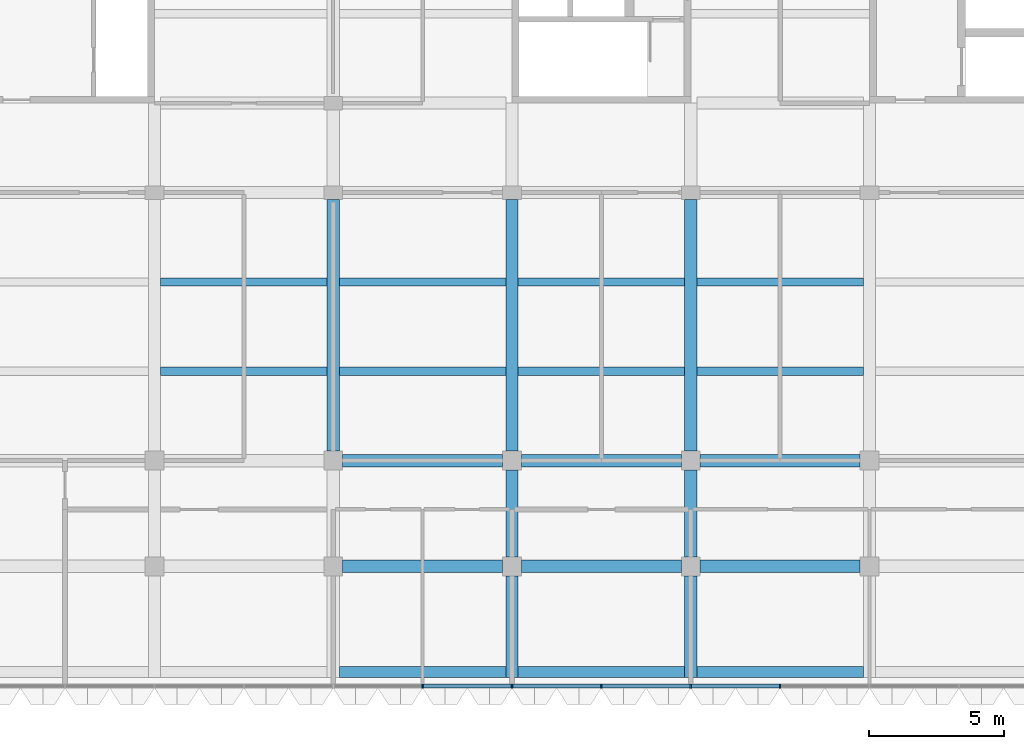
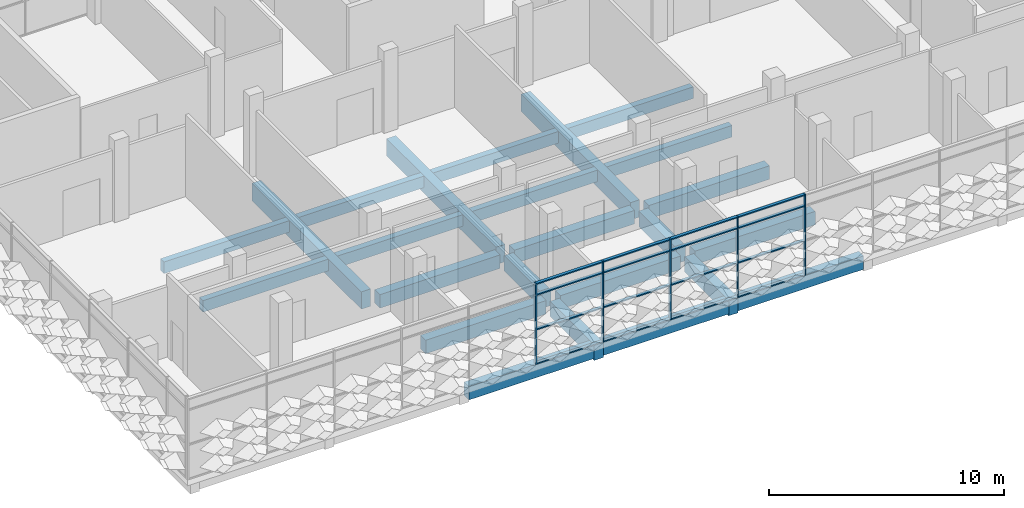
# One storey, part 3 of 61: 24 beams, 21 members, 1 element without a shape of its own.
"""IFC4 building model written with IfcOpenShell, lengths in metres."""

from ifc_helpers import new_model, si_unit, direction, frame, origin, origin_2d, place, context, subcontext, project, spatial, rectangle, extrude, material, material_profile, profile_set, type_object, element, aggregate, save


model = new_model("IFC4")

# Units and contexts
model_context = context("Model", 3, precision=1e-05, world=origin(), true_north=direction((0.0, 1.0)))
body_context = subcontext(model_context, "Body", "Model", "MODEL_VIEW")
ifc_project = project(units=[si_unit("LENGTHUNIT", "METRE"), si_unit("AREAUNIT", "SQUARE_METRE"), si_unit("VOLUMEUNIT", "CUBIC_METRE"), si_unit("PLANEANGLEUNIT", "RADIAN"), si_unit("MASSUNIT", "GRAM", prefix="KILO")], contexts=[model_context])

# Site, building, storey
site_placement = place(None, origin())
site = spatial("IfcSite", under=ifc_project, at=site_placement, CompositionType="ELEMENT")
building_placement = place(site_placement, origin())
building = spatial("IfcBuilding", under=site, at=building_placement, Name="Lantern Court Research Institute", CompositionType="ELEMENT")
storey_placement = place(building_placement, frame((0.0, 0.0, 23.39990234375)))
storey = spatial("IfcBuildingStorey", under=building, at=storey_placement, Name="L05", CompositionType="ELEMENT", Elevation=23.39990234375)

# Curtain wall, members
ifc_material_1 = material(Name="Aluminium alloy 6063-T6", Category="aluminium")
curtain_wall_type = type_object("IfcCurtainWallType", Name="Curtain wall 53400 x 4200 x 150 aluminium frame", PredefinedType="NOTDEFINED", material=ifc_material_1)
curtain_wall_placement = place(storey_placement, origin())
curtain_wall = element("IfcCurtainWall", 1, at=curtain_wall_placement, inside=storey, type_object=curtain_wall_type, Name="Curtain wall CW072", PredefinedType="NOTDEFINED")
ifc_material_2 = material(Name="Aluminium alloy 6063-T6", Category="aluminium")
ifc_material_profile_1 = material_profile(ifc_material_2, rectangle(XDim=0.14990234375, YDim=0.06005859375, at=origin_2d()), Name="Mullion 150 x 60")
ifc_profile_set_1 = profile_set([ifc_material_profile_1], Name="Aluminium alloy 6063-T6")
member_type_1 = type_object("IfcMemberType", Name="Mullion 150 x 60 aluminium", PredefinedType="MULLION", material=ifc_profile_set_1)
member_1_placement = place(storey_placement, frame((16.5, -8.324951171875, 0.0), z_axis=(0.0, 0.0, 1.0), x_axis=(0.0, -1.0, 0.0)))
member_1 = element("IfcMember", 2, at=member_1_placement, type_object=member_type_1, Name="CW072 mullion 6", PredefinedType="MULLION", context=body_context, shape_type="SweptSolid", body=[
    extrude(rectangle(XDim=0.14990234375, YDim=0.06005859375, at=origin_2d()), origin(), (0.0, 0.0, 1.0), 4.2001953125),
])
member_2_placement = place(storey_placement, frame((19.800048828125, -8.324951171875, 0.0), z_axis=(0.0, 0.0, 1.0), x_axis=(0.0, -1.0, 0.0)))
member_2 = element("IfcMember", 3, at=member_2_placement, type_object=member_type_1, Name="CW072 mullion 7", PredefinedType="MULLION", context=body_context, shape_type="SweptSolid", body=[
    extrude(rectangle(XDim=0.14990234375, YDim=0.06005859375, at=origin_2d()), origin(), (0.0, 0.0, 1.0), 4.2001953125),
])
member_3_placement = place(storey_placement, frame((23.10009765625, -8.324951171875, 0.0), z_axis=(0.0, 0.0, 1.0), x_axis=(0.0, -1.0, 0.0)))
member_3 = element("IfcMember", 4, at=member_3_placement, type_object=member_type_1, Name="CW072 mullion 8", PredefinedType="MULLION", context=body_context, shape_type="SweptSolid", body=[
    extrude(rectangle(XDim=0.14990234375, YDim=0.06005859375, at=origin_2d()), origin(), (0.0, 0.0, 1.0), 4.2001953125),
])
member_4_placement = place(storey_placement, frame((26.39990234375, -8.324951171875, 0.0), z_axis=(0.0, 0.0, 1.0), x_axis=(0.0, -1.0, 0.0)))
member_4 = element("IfcMember", 5, at=member_4_placement, type_object=member_type_1, Name="CW072 mullion 9", PredefinedType="MULLION", context=body_context, shape_type="SweptSolid", body=[
    extrude(rectangle(XDim=0.14990234375, YDim=0.06005859375, at=origin_2d()), origin(), (0.0, 0.0, 1.0), 4.2001953125),
])
member_5_placement = place(storey_placement, frame((29.699951171875, -8.324951171875, 0.0), z_axis=(0.0, 0.0, 1.0), x_axis=(0.0, -1.0, 0.0)))
member_5 = element("IfcMember", 6, at=member_5_placement, type_object=member_type_1, Name="CW072 mullion 10", PredefinedType="MULLION", context=body_context, shape_type="SweptSolid", body=[
    extrude(rectangle(XDim=0.14990234375, YDim=0.06005859375, at=origin_2d()), origin(), (0.0, 0.0, 1.0), 4.2001953125),
])

# Beams
ifc_material_3 = material(Name="Concrete C40/50", Category="concrete")
ifc_material_profile_2 = material_profile(ifc_material_3, rectangle(XDim=0.449951171875, YDim=0.699951171875, at=origin_2d()), Name="RC beam 450 x 700")
ifc_profile_set_2 = profile_set([ifc_material_profile_2], Name="Concrete C40/50")
beam_type_1 = type_object("IfcBeamType", Name="RC beam 450 x 700", PredefinedType="BEAM", material=ifc_profile_set_2)
beam_1_placement = place(storey_placement, frame((13.550048828125, -3.89990234375, -0.64990234375), z_axis=(1.0, 0.0, 0.0), x_axis=(0.0, 1.0, 0.0)))
element("IfcBeam", 7, at=beam_1_placement, inside=storey, type_object=beam_type_1, Name="Beam L05 grid Y/3-4", PredefinedType="BEAM", context=body_context, shape_type="SweptSolid", body=[
    extrude(rectangle(XDim=0.449951171875, YDim=0.699951171875, at=origin_2d()), origin(), (0.0, 0.0, 1.0), 5.89990234375),
])
beam_2_placement = place(storey_placement, frame((20.14990234375, -3.89990234375, -0.64990234375), z_axis=(1.0, 0.0, 0.0), x_axis=(0.0, 1.0, 0.0)))
element("IfcBeam", 8, at=beam_2_placement, inside=storey, type_object=beam_type_1, Name="Beam L05 grid Y/4-5", PredefinedType="BEAM", context=body_context, shape_type="SweptSolid", body=[
    extrude(rectangle(XDim=0.449951171875, YDim=0.699951171875, at=origin_2d()), origin(), (0.0, 0.0, 1.0), 5.900146484375),
])
for number, where, z_axis, x_axis, name in (
    (9, (26.75, -3.89990234375, -0.64990234375), (1.0, 0.0, 0.0), (0.0, 1.0, 0.0), "Beam L05 grid Y/5-6"),
    (10, (13.550048828125, 0.0, -0.64990234375), (1.0, 0.0, 0.0), (0.0, 1.0, 0.0), "Beam L05 grid A/3-4"),
):
    element("IfcBeam", number, at=place(storey_placement, frame(where, z_axis=z_axis, x_axis=x_axis)), inside=storey, type_object=beam_type_1, Name=name, PredefinedType="BEAM", context=body_context, shape_type="SweptSolid", body=[
        extrude(rectangle(XDim=0.449951171875, YDim=0.699951171875, at=origin_2d()), origin(), (0.0, 0.0, 1.0), 5.89990234375),
    ])
beam_3_placement = place(storey_placement, frame((20.14990234375, 0.0, -0.64990234375), z_axis=(1.0, 0.0, 0.0), x_axis=(0.0, 1.0, 0.0)))
element("IfcBeam", 11, at=beam_3_placement, inside=storey, type_object=beam_type_1, Name="Beam L05 grid A/4-5", PredefinedType="BEAM", context=body_context, shape_type="SweptSolid", body=[
    extrude(rectangle(XDim=0.449951171875, YDim=0.699951171875, at=origin_2d()), origin(), (0.0, 0.0, 1.0), 5.900146484375),
])
beam_4_placement = place(storey_placement, frame((26.75, 0.0, -0.64990234375), z_axis=(1.0, 0.0, 0.0), x_axis=(0.0, 1.0, 0.0)))
element("IfcBeam", 12, at=beam_4_placement, inside=storey, type_object=beam_type_1, Name="Beam L05 grid A/5-6", PredefinedType="BEAM", context=body_context, shape_type="SweptSolid", body=[
    extrude(rectangle(XDim=0.449951171875, YDim=0.699951171875, at=origin_2d()), origin(), (0.0, 0.0, 1.0), 5.89990234375),
])
ifc_material_4 = material(Name="Concrete C40/50", Category="concrete")
ifc_material_profile_3 = material_profile(ifc_material_4, rectangle(XDim=0.449951171875, YDim=0.800048828125, at=origin_2d()), Name="RC beam 450 x 800")
ifc_profile_set_3 = profile_set([ifc_material_profile_3], Name="Concrete C40/50")
beam_type_2 = type_object("IfcBeamType", Name="RC cantilever beam 450 x 800", PredefinedType="BEAM", material=ifc_profile_set_3)
for number, where, z_axis, x_axis, name in (
    (13, (19.800048828125, -4.25, -0.699951171875), (0.0, -1.0, 0.0), (1.0, 0.0, 0.0), "Cantilever beam L05 grid 4/Y-tip"),
    (14, (26.39990234375, -4.25, -0.699951171875), (0.0, -1.0, 0.0), (1.0, 0.0, 0.0), "Cantilever beam L05 grid 5/Y-tip"),
):
    element("IfcBeam", number, at=place(storey_placement, frame(where, z_axis=z_axis, x_axis=x_axis)), inside=storey, type_object=beam_type_2, Name=name, PredefinedType="BEAM", context=body_context, shape_type="SweptSolid", body=[
        extrude(rectangle(XDim=0.449951171875, YDim=0.800048828125, at=origin_2d()), origin(), (0.0, 0.0, 1.0), 3.75),
    ])
ifc_material_5 = material(Name="Concrete C40/50", Category="concrete")
ifc_material_profile_4 = material_profile(ifc_material_5, rectangle(XDim=0.39990234375, YDim=0.699951171875, at=origin_2d()), Name="RC beam 400 x 700")
ifc_profile_set_4 = profile_set([ifc_material_profile_4], Name="Concrete C40/50")
beam_type_3 = type_object("IfcBeamType", Name="RC edge beam 400 x 700", PredefinedType="BEAM", material=ifc_profile_set_4)
beam_5_placement = place(storey_placement, frame((13.425048828125, -7.800048828125, -0.64990234375), z_axis=(1.0, 0.0, 0.0), x_axis=(0.0, 1.0, 0.0)))
element("IfcBeam", 15, at=beam_5_placement, inside=storey, type_object=beam_type_3, Name="Edge beam L05 grid tip/3-4", PredefinedType="BEAM", context=body_context, shape_type="SweptSolid", body=[
    extrude(rectangle(XDim=0.39990234375, YDim=0.699951171875, at=origin_2d()), origin(), (0.0, 0.0, 1.0), 6.14990234375),
])
beam_6_placement = place(storey_placement, frame((20.02490234375, -7.800048828125, -0.64990234375), z_axis=(1.0, 0.0, 0.0), x_axis=(0.0, 1.0, 0.0)))
element("IfcBeam", 16, at=beam_6_placement, inside=storey, type_object=beam_type_3, Name="Edge beam L05 grid tip/4-5", PredefinedType="BEAM", context=body_context, shape_type="SweptSolid", body=[
    extrude(rectangle(XDim=0.39990234375, YDim=0.699951171875, at=origin_2d()), origin(), (0.0, 0.0, 1.0), 6.150146484375),
])
beam_7_placement = place(storey_placement, frame((26.625, -7.800048828125, -0.64990234375), z_axis=(1.0, 0.0, 0.0), x_axis=(0.0, 1.0, 0.0)))
element("IfcBeam", 17, at=beam_7_placement, inside=storey, type_object=beam_type_3, Name="Edge beam L05 grid tip/5-6", PredefinedType="BEAM", context=body_context, shape_type="SweptSolid", body=[
    extrude(rectangle(XDim=0.39990234375, YDim=0.699951171875, at=origin_2d()), origin(), (0.0, 0.0, 1.0), 6.14990234375),
])
ifc_material_6 = material(Name="Concrete C40/50", Category="concrete")
ifc_material_profile_5 = material_profile(ifc_material_6, rectangle(XDim=0.449951171875, YDim=0.800048828125, at=origin_2d()), Name="RC beam 450 x 800")
ifc_profile_set_5 = profile_set([ifc_material_profile_5], Name="Concrete C40/50")
beam_type_4 = type_object("IfcBeamType", Name="RC girder 450 x 800", PredefinedType="BEAM", material=ifc_profile_set_5)
for number, where, z_axis, x_axis, name in (
    (18, (19.800048828125, -3.550048828125, -0.699951171875), (0.0, 1.0, 0.0), (-1.0, 0.0, 0.0), "Girder L05 grid 4/Y-A"),
    (19, (26.39990234375, -3.550048828125, -0.699951171875), (0.0, 1.0, 0.0), (-1.0, 0.0, 0.0), "Girder L05 grid 5/Y-A"),
):
    element("IfcBeam", number, at=place(storey_placement, frame(where, z_axis=z_axis, x_axis=x_axis)), inside=storey, type_object=beam_type_4, Name=name, PredefinedType="BEAM", context=body_context, shape_type="SweptSolid", body=[
        extrude(rectangle(XDim=0.449951171875, YDim=0.800048828125, at=origin_2d()), origin(), (0.0, 0.0, 1.0), 3.199951171875),
    ])
ifc_material_7 = material(Name="Concrete C40/50", Category="concrete")
ifc_material_profile_6 = material_profile(ifc_material_7, rectangle(XDim=0.449951171875, YDim=0.89990234375, at=origin_2d()), Name="RC beam 450 x 900")
ifc_profile_set_6 = profile_set([ifc_material_profile_6], Name="Concrete C40/50")
beam_type_5 = type_object("IfcBeamType", Name="RC girder 450 x 900", PredefinedType="BEAM", material=ifc_profile_set_6)
for number, where, z_axis, x_axis, name in (
    (20, (13.199951171875, 0.35009765625, -0.75), (0.0, 1.0, 0.0), (-1.0, 0.0, 0.0), "Girder L05 grid 3/A-B"),
    (21, (19.800048828125, 0.35009765625, -0.75), (0.0, 1.0, 0.0), (-1.0, 0.0, 0.0), "Girder L05 grid 4/A-B"),
    (22, (26.39990234375, 0.35009765625, -0.75), (0.0, 1.0, 0.0), (-1.0, 0.0, 0.0), "Girder L05 grid 5/A-B"),
):
    element("IfcBeam", number, at=place(storey_placement, frame(where, z_axis=z_axis, x_axis=x_axis)), inside=storey, type_object=beam_type_5, Name=name, PredefinedType="BEAM", context=body_context, shape_type="SweptSolid", body=[
        extrude(rectangle(XDim=0.449951171875, YDim=0.89990234375, at=origin_2d()), origin(), (0.0, 0.0, 1.0), 9.2998046875),
    ])
ifc_material_8 = material(Name="Concrete C40/50", Category="concrete")
ifc_material_profile_7 = material_profile(ifc_material_8, rectangle(XDim=0.300048828125, YDim=0.60009765625, at=origin_2d()), Name="RC beam 300 x 600")
ifc_profile_set_7 = profile_set([ifc_material_profile_7], Name="Concrete C40/50")
beam_type_6 = type_object("IfcBeamType", Name="RC secondary beam 300 x 600", PredefinedType="BEAM", material=ifc_profile_set_7)
beam_8_placement = place(storey_placement, frame((6.824951171875, 3.300048828125, -0.599853515625), z_axis=(1.0, 0.0, 0.0), x_axis=(0.0, 1.0, 0.0)))
element("IfcBeam", 23, at=beam_8_placement, inside=storey, type_object=beam_type_6, Name="Secondary beam L05 grids 2-3 / A-B, line 1", PredefinedType="BEAM", context=body_context, shape_type="SweptSolid", body=[
    extrude(rectangle(XDim=0.300048828125, YDim=0.60009765625, at=origin_2d()), origin(), (0.0, 0.0, 1.0), 6.150146484375),
])
beam_9_placement = place(storey_placement, frame((13.425048828125, 3.300048828125, -0.599853515625), z_axis=(1.0, 0.0, 0.0), x_axis=(0.0, 1.0, 0.0)))
element("IfcBeam", 24, at=beam_9_placement, inside=storey, type_object=beam_type_6, Name="Secondary beam L05 grids 3-4 / A-B, line 1", PredefinedType="BEAM", context=body_context, shape_type="SweptSolid", body=[
    extrude(rectangle(XDim=0.300048828125, YDim=0.60009765625, at=origin_2d()), origin(), (0.0, 0.0, 1.0), 6.14990234375),
])
beam_10_placement = place(storey_placement, frame((20.02490234375, 3.300048828125, -0.599853515625), z_axis=(1.0, 0.0, 0.0), x_axis=(0.0, 1.0, 0.0)))
element("IfcBeam", 25, at=beam_10_placement, inside=storey, type_object=beam_type_6, Name="Secondary beam L05 grids 4-5 / A-B, line 1", PredefinedType="BEAM", context=body_context, shape_type="SweptSolid", body=[
    extrude(rectangle(XDim=0.300048828125, YDim=0.60009765625, at=origin_2d()), origin(), (0.0, 0.0, 1.0), 6.150146484375),
])
beam_11_placement = place(storey_placement, frame((26.625, 3.300048828125, -0.599853515625), z_axis=(1.0, 0.0, 0.0), x_axis=(0.0, 1.0, 0.0)))
element("IfcBeam", 26, at=beam_11_placement, inside=storey, type_object=beam_type_6, Name="Secondary beam L05 grids 5-6 / A-B, line 1", PredefinedType="BEAM", context=body_context, shape_type="SweptSolid", body=[
    extrude(rectangle(XDim=0.300048828125, YDim=0.60009765625, at=origin_2d()), origin(), (0.0, 0.0, 1.0), 6.14990234375),
])
beam_12_placement = place(storey_placement, frame((6.824951171875, 6.60009765625, -0.599853515625), z_axis=(1.0, 0.0, 0.0), x_axis=(0.0, 1.0, 0.0)))
element("IfcBeam", 27, at=beam_12_placement, inside=storey, type_object=beam_type_6, Name="Secondary beam L05 grids 2-3 / A-B, line 2", PredefinedType="BEAM", context=body_context, shape_type="SweptSolid", body=[
    extrude(rectangle(XDim=0.300048828125, YDim=0.60009765625, at=origin_2d()), origin(), (0.0, 0.0, 1.0), 6.150146484375),
])
beam_13_placement = place(storey_placement, frame((13.425048828125, 6.60009765625, -0.599853515625), z_axis=(1.0, 0.0, 0.0), x_axis=(0.0, 1.0, 0.0)))
element("IfcBeam", 28, at=beam_13_placement, inside=storey, type_object=beam_type_6, Name="Secondary beam L05 grids 3-4 / A-B, line 2", PredefinedType="BEAM", context=body_context, shape_type="SweptSolid", body=[
    extrude(rectangle(XDim=0.300048828125, YDim=0.60009765625, at=origin_2d()), origin(), (0.0, 0.0, 1.0), 6.14990234375),
])
beam_14_placement = place(storey_placement, frame((20.02490234375, 6.60009765625, -0.599853515625), z_axis=(1.0, 0.0, 0.0), x_axis=(0.0, 1.0, 0.0)))
element("IfcBeam", 29, at=beam_14_placement, inside=storey, type_object=beam_type_6, Name="Secondary beam L05 grids 4-5 / A-B, line 2", PredefinedType="BEAM", context=body_context, shape_type="SweptSolid", body=[
    extrude(rectangle(XDim=0.300048828125, YDim=0.60009765625, at=origin_2d()), origin(), (0.0, 0.0, 1.0), 6.150146484375),
])
beam_15_placement = place(storey_placement, frame((26.625, 6.60009765625, -0.599853515625), z_axis=(1.0, 0.0, 0.0), x_axis=(0.0, 1.0, 0.0)))
element("IfcBeam", 30, at=beam_15_placement, inside=storey, type_object=beam_type_6, Name="Secondary beam L05 grids 5-6 / A-B, line 2", PredefinedType="BEAM", context=body_context, shape_type="SweptSolid", body=[
    extrude(rectangle(XDim=0.300048828125, YDim=0.60009765625, at=origin_2d()), origin(), (0.0, 0.0, 1.0), 6.14990234375),
])

# Member
ifc_material_9 = material(Name="Aluminium alloy 6063-T6", Category="aluminium")
ifc_material_profile_8 = material_profile(ifc_material_9, rectangle(XDim=0.14990234375, YDim=0.06005859375, at=origin_2d()), Name="Transom 150 x 60")
ifc_profile_set_8 = profile_set([ifc_material_profile_8], Name="Aluminium alloy 6063-T6")
member_type_2 = type_object("IfcMemberType", Name="Transom 150 x 60 aluminium", PredefinedType="USERDEFINED", material=ifc_profile_set_8)
member_6_placement = place(storey_placement, frame((19.77001953125, -8.324951171875, 0.030029296875), z_axis=(-1.0, 0.0, 0.0), x_axis=(0.0, -1.0, 0.0)))
member_6 = element("IfcMember", 31, at=member_6_placement, type_object=member_type_2, Name="CW072 transom 6.1", ObjectType="TRANSOM", PredefinedType="USERDEFINED", context=body_context, shape_type="SweptSolid", body=[
    extrude(rectangle(XDim=0.14990234375, YDim=0.06005859375, at=origin_2d()), origin(), (0.0, 0.0, 1.0), 3.239990234375),
])

member_7_placement = place(storey_placement, frame((19.77001953125, -8.324951171875, 1.800048828125), z_axis=(-1.0, 0.0, 0.0), x_axis=(0.0, -1.0, 0.0)))
member_7 = element("IfcMember", 32, at=member_7_placement, type_object=member_type_2, Name="CW072 transom 6.2", ObjectType="TRANSOM", PredefinedType="USERDEFINED", context=body_context, shape_type="SweptSolid", body=[
    extrude(rectangle(XDim=0.14990234375, YDim=0.06005859375, at=origin_2d()), origin(), (0.0, 0.0, 1.0), 3.239990234375),
])

member_8_placement = place(storey_placement, frame((19.77001953125, -8.324951171875, 3.60009765625), z_axis=(-1.0, 0.0, 0.0), x_axis=(0.0, -1.0, 0.0)))
member_8 = element("IfcMember", 33, at=member_8_placement, type_object=member_type_2, Name="CW072 transom 6.3", ObjectType="TRANSOM", PredefinedType="USERDEFINED", context=body_context, shape_type="SweptSolid", body=[
    extrude(rectangle(XDim=0.14990234375, YDim=0.06005859375, at=origin_2d()), origin(), (0.0, 0.0, 1.0), 3.239990234375),
])

member_9_placement = place(storey_placement, frame((19.77001953125, -8.324951171875, 4.170166015625), z_axis=(-1.0, 0.0, 0.0), x_axis=(0.0, -1.0, 0.0)))
member_9 = element("IfcMember", 34, at=member_9_placement, type_object=member_type_2, Name="CW072 transom 6.4", ObjectType="TRANSOM", PredefinedType="USERDEFINED", context=body_context, shape_type="SweptSolid", body=[
    extrude(rectangle(XDim=0.14990234375, YDim=0.06005859375, at=origin_2d()), origin(), (0.0, 0.0, 1.0), 3.239990234375),
])

member_10_placement = place(storey_placement, frame((23.070068359375, -8.324951171875, 0.030029296875), z_axis=(-1.0, 0.0, 0.0), x_axis=(0.0, -1.0, 0.0)))
member_10 = element("IfcMember", 35, at=member_10_placement, type_object=member_type_2, Name="CW072 transom 7.1", ObjectType="TRANSOM", PredefinedType="USERDEFINED", context=body_context, shape_type="SweptSolid", body=[
    extrude(rectangle(XDim=0.14990234375, YDim=0.06005859375, at=origin_2d()), origin(), (0.0, 0.0, 1.0), 3.239990234375),
])

member_11_placement = place(storey_placement, frame((23.070068359375, -8.324951171875, 1.800048828125), z_axis=(-1.0, 0.0, 0.0), x_axis=(0.0, -1.0, 0.0)))
member_11 = element("IfcMember", 36, at=member_11_placement, type_object=member_type_2, Name="CW072 transom 7.2", ObjectType="TRANSOM", PredefinedType="USERDEFINED", context=body_context, shape_type="SweptSolid", body=[
    extrude(rectangle(XDim=0.14990234375, YDim=0.06005859375, at=origin_2d()), origin(), (0.0, 0.0, 1.0), 3.239990234375),
])

member_12_placement = place(storey_placement, frame((23.070068359375, -8.324951171875, 3.60009765625), z_axis=(-1.0, 0.0, 0.0), x_axis=(0.0, -1.0, 0.0)))
member_12 = element("IfcMember", 37, at=member_12_placement, type_object=member_type_2, Name="CW072 transom 7.3", ObjectType="TRANSOM", PredefinedType="USERDEFINED", context=body_context, shape_type="SweptSolid", body=[
    extrude(rectangle(XDim=0.14990234375, YDim=0.06005859375, at=origin_2d()), origin(), (0.0, 0.0, 1.0), 3.239990234375),
])

member_13_placement = place(storey_placement, frame((23.070068359375, -8.324951171875, 4.170166015625), z_axis=(-1.0, 0.0, 0.0), x_axis=(0.0, -1.0, 0.0)))
member_13 = element("IfcMember", 38, at=member_13_placement, type_object=member_type_2, Name="CW072 transom 7.4", ObjectType="TRANSOM", PredefinedType="USERDEFINED", context=body_context, shape_type="SweptSolid", body=[
    extrude(rectangle(XDim=0.14990234375, YDim=0.06005859375, at=origin_2d()), origin(), (0.0, 0.0, 1.0), 3.239990234375),
])

member_14_placement = place(storey_placement, frame((26.3701171875, -8.324951171875, 0.030029296875), z_axis=(-1.0, 0.0, 0.0), x_axis=(0.0, -1.0, 0.0)))
member_14 = element("IfcMember", 39, at=member_14_placement, type_object=member_type_2, Name="CW072 transom 8.1", ObjectType="TRANSOM", PredefinedType="USERDEFINED", context=body_context, shape_type="SweptSolid", body=[
    extrude(rectangle(XDim=0.14990234375, YDim=0.06005859375, at=origin_2d()), origin(), (0.0, 0.0, 1.0), 3.240234375),
])

member_15_placement = place(storey_placement, frame((26.3701171875, -8.324951171875, 1.800048828125), z_axis=(-1.0, 0.0, 0.0), x_axis=(0.0, -1.0, 0.0)))
member_15 = element("IfcMember", 40, at=member_15_placement, type_object=member_type_2, Name="CW072 transom 8.2", ObjectType="TRANSOM", PredefinedType="USERDEFINED", context=body_context, shape_type="SweptSolid", body=[
    extrude(rectangle(XDim=0.14990234375, YDim=0.06005859375, at=origin_2d()), origin(), (0.0, 0.0, 1.0), 3.240234375),
])

member_16_placement = place(storey_placement, frame((26.3701171875, -8.324951171875, 3.60009765625), z_axis=(-1.0, 0.0, 0.0), x_axis=(0.0, -1.0, 0.0)))
member_16 = element("IfcMember", 41, at=member_16_placement, type_object=member_type_2, Name="CW072 transom 8.3", ObjectType="TRANSOM", PredefinedType="USERDEFINED", context=body_context, shape_type="SweptSolid", body=[
    extrude(rectangle(XDim=0.14990234375, YDim=0.06005859375, at=origin_2d()), origin(), (0.0, 0.0, 1.0), 3.240234375),
])

member_17_placement = place(storey_placement, frame((26.3701171875, -8.324951171875, 4.170166015625), z_axis=(-1.0, 0.0, 0.0), x_axis=(0.0, -1.0, 0.0)))
member_17 = element("IfcMember", 42, at=member_17_placement, type_object=member_type_2, Name="CW072 transom 8.4", ObjectType="TRANSOM", PredefinedType="USERDEFINED", context=body_context, shape_type="SweptSolid", body=[
    extrude(rectangle(XDim=0.14990234375, YDim=0.06005859375, at=origin_2d()), origin(), (0.0, 0.0, 1.0), 3.240234375),
])

member_18_placement = place(storey_placement, frame((29.669921875, -8.324951171875, 0.030029296875), z_axis=(-1.0, 0.0, 0.0), x_axis=(0.0, -1.0, 0.0)))
member_18 = element("IfcMember", 43, at=member_18_placement, type_object=member_type_2, Name="CW072 transom 9.1", ObjectType="TRANSOM", PredefinedType="USERDEFINED", context=body_context, shape_type="SweptSolid", body=[
    extrude(rectangle(XDim=0.14990234375, YDim=0.06005859375, at=origin_2d()), origin(), (0.0, 0.0, 1.0), 3.239990234375),
])

member_19_placement = place(storey_placement, frame((29.669921875, -8.324951171875, 1.800048828125), z_axis=(-1.0, 0.0, 0.0), x_axis=(0.0, -1.0, 0.0)))
member_19 = element("IfcMember", 44, at=member_19_placement, type_object=member_type_2, Name="CW072 transom 9.2", ObjectType="TRANSOM", PredefinedType="USERDEFINED", context=body_context, shape_type="SweptSolid", body=[
    extrude(rectangle(XDim=0.14990234375, YDim=0.06005859375, at=origin_2d()), origin(), (0.0, 0.0, 1.0), 3.239990234375),
])

member_20_placement = place(storey_placement, frame((29.669921875, -8.324951171875, 3.60009765625), z_axis=(-1.0, 0.0, 0.0), x_axis=(0.0, -1.0, 0.0)))
member_20 = element("IfcMember", 45, at=member_20_placement, type_object=member_type_2, Name="CW072 transom 9.3", ObjectType="TRANSOM", PredefinedType="USERDEFINED", context=body_context, shape_type="SweptSolid", body=[
    extrude(rectangle(XDim=0.14990234375, YDim=0.06005859375, at=origin_2d()), origin(), (0.0, 0.0, 1.0), 3.239990234375),
])

member_21_placement = place(storey_placement, frame((29.669921875, -8.324951171875, 4.170166015625), z_axis=(-1.0, 0.0, 0.0), x_axis=(0.0, -1.0, 0.0)))
member_21 = element("IfcMember", 46, at=member_21_placement, type_object=member_type_2, Name="CW072 transom 9.4", ObjectType="TRANSOM", PredefinedType="USERDEFINED", context=body_context, shape_type="SweptSolid", body=[
    extrude(rectangle(XDim=0.14990234375, YDim=0.06005859375, at=origin_2d()), origin(), (0.0, 0.0, 1.0), 3.239990234375),
])

aggregate(curtain_wall, [member_1, member_2, member_3, member_4, member_5, member_6, member_7, member_8, member_9, member_10, member_11, member_12, member_13, member_14, member_15, member_16, member_17, member_18, member_19, member_20, member_21])

save(model, "model.ifc")
